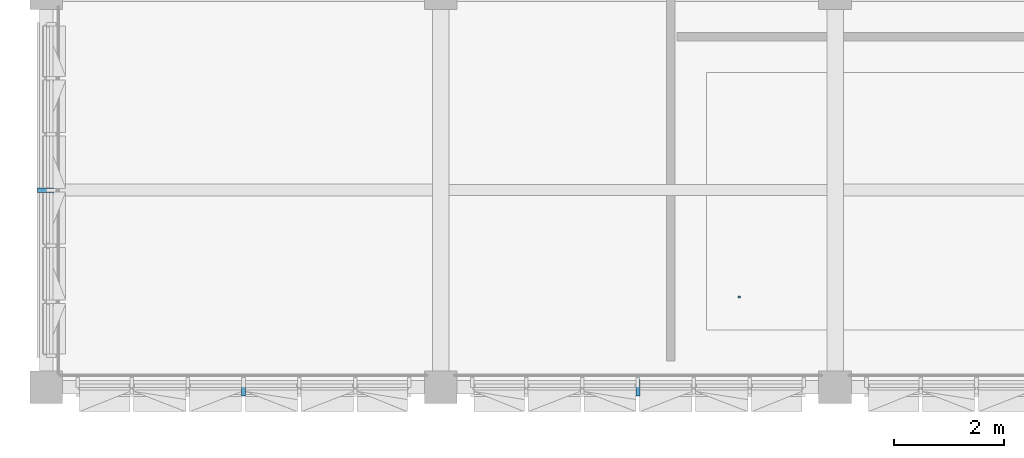
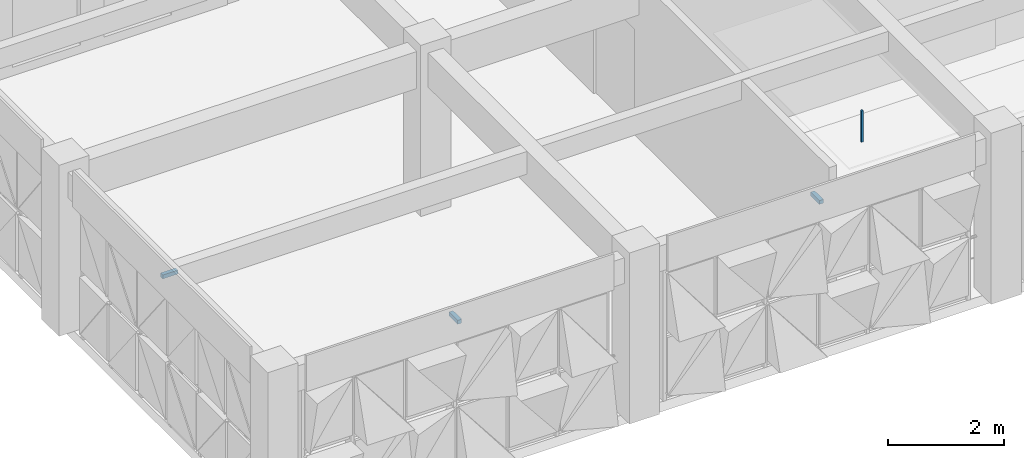
# One storey, part 66 of 99: 4 discrete accessories.
"""IFC4 building model written with IfcOpenShell, lengths in metres."""

from ifc_helpers import new_model, si_unit, direction, frame, origin, origin_2d, place, context, subcontext, project, spatial, rectangle, extrude, material, type_object, element, save


model = new_model("IFC4")

# Units and contexts
model_context = context("Model", 3, precision=1e-05, world=origin(), true_north=direction((0.0, 1.0)))
body_context = subcontext(model_context, "Body", "Model", "MODEL_VIEW")
ifc_project = project(units=[si_unit("LENGTHUNIT", "METRE"), si_unit("AREAUNIT", "SQUARE_METRE"), si_unit("VOLUMEUNIT", "CUBIC_METRE"), si_unit("PLANEANGLEUNIT", "RADIAN"), si_unit("MASSUNIT", "GRAM", prefix="KILO")], contexts=[model_context])

# Site, building, storey
site_placement = place(None, origin())
site = spatial("IfcSite", under=ifc_project, at=site_placement, CompositionType="ELEMENT")
building_placement = place(site_placement, origin())
building = spatial("IfcBuilding", under=site, at=building_placement, Name="Alvorim Cloister Faculty of Sciences", CompositionType="ELEMENT")
storey_placement = place(building_placement, frame((0.0, 0.0, 12.14990234375)))
storey = spatial("IfcBuildingStorey", under=building, at=storey_placement, Name="L03", CompositionType="ELEMENT", Elevation=12.14990234375)

# Discrete accessories
ifc_material_1 = material(Name="Galvanised Painted Steel", Category="steel")
discrete_accessory_type_1 = type_object("IfcDiscreteAccessoryType", Name="ACC-CEIL-ROD", PredefinedType="BRACKET", material=ifc_material_1)
discrete_accessory_placement = place(storey_placement, frame((12.64990234375, 1.64990234375, 2.75), z_axis=(0.0, 0.0, 1.0), x_axis=(1.0, 0.0, 0.0)))
element("IfcDiscreteAccessory", 1, at=discrete_accessory_placement, inside=storey, type_object=discrete_accessory_type_1, Name="Ceiling Suspension Bracket ACC-ROD-023", PredefinedType="BRACKET", context=body_context, shape_type="SweptSolid", body=[
    extrude(rectangle(XDim=0.0400390625, YDim=0.0400390625, at=origin_2d()), origin(), (0.0, 0.0, 1.0), 0.66015625),
])
ifc_material_2 = material(Name="Aluminium Alloy 6063-T6", Category="aluminium")
discrete_accessory_type_2 = type_object("IfcDiscreteAccessoryType", Name="ACC-DIAG-BAR", PredefinedType="BRACKET", material=ifc_material_2)
for number, where, z_axis, x_axis, name in (
    (2, (10.800048828125, 0.139892578125, 3.22509765625), (0.0, -1.0, 0.0), (1.0, 0.0, 0.0), "Slab-Edge Fascia Tie Bracket ACC-01661"),
    (3, (3.60009765625, 0.139892578125, 3.22509765625), (0.0, -1.0, 0.0), (1.0, 0.0, 0.0), "Slab-Edge Fascia Tie Bracket ACC-01674"),
    (4, (0.139892578125, 3.60009765625, 3.22509765625), (-1.0, 0.0, 0.0), (0.0, -1.0, 0.0), "Slab-Edge Fascia Tie Bracket ACC-01687"),
):
    element("IfcDiscreteAccessory", number, at=place(storey_placement, frame(where, z_axis=z_axis, x_axis=x_axis)), inside=storey, type_object=discrete_accessory_type_2, Name=name, PredefinedType="BRACKET", context=body_context, shape_type="SweptSolid", body=[
        extrude(rectangle(XDim=0.080078125, YDim=0.080078125, at=origin_2d()), origin(), (0.0, 0.0, 1.0), 0.2998046875),
    ])

save(model, "model.ifc")
